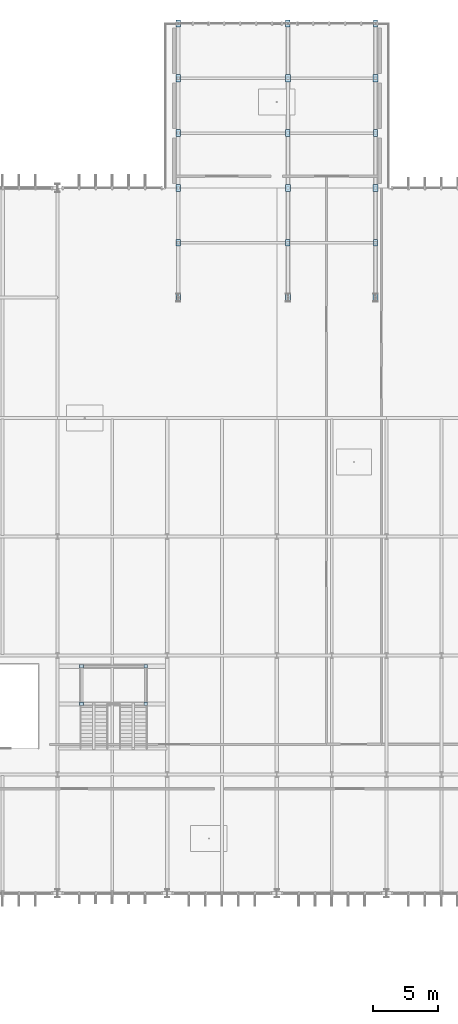
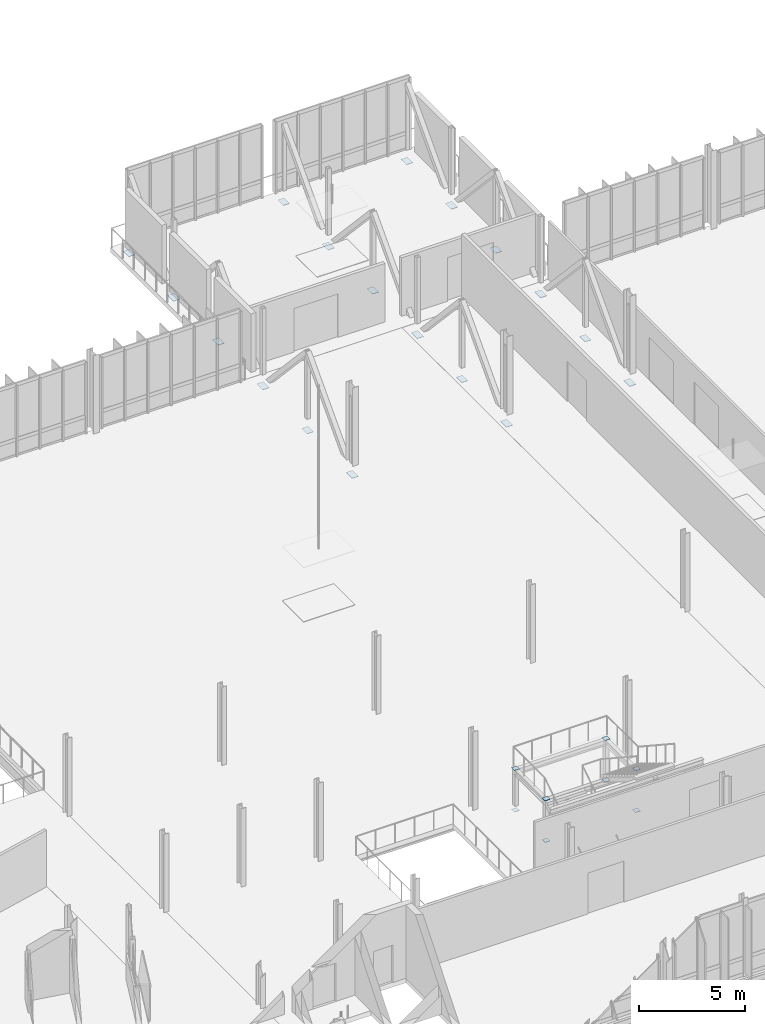
# One storey, part 99 of 139: 26 plates.
"""IFC4 building model written with IfcOpenShell, lengths in metres."""

import ifcopenshell
import ifcopenshell.guid

model = None  # the IFC model being written
_history = None  # IfcOwnerHistory: only IFC2X3 demands one
_inside = {}  # id of a spatial element -> (the spatial element, [elements in it])
_under = {}  # id of a project, library or spatial element -> (it, [spatial elements below it])
_declared = {}  # id of a project -> (the project, [libraries it declares])
_typed = {}  # id of a type object -> (the type object, [elements of that type])
_made_of = {}  # id of a material, layer set ... -> (it, [elements and type objects made of it])


def new_model(schema):
    """Start an empty IFC model of exactly this schema.

    Asked for "IFC4X3", IfcOpenShell would pick the latest addendum, in which some entities
    have other attributes; the version numbers below select the first issue.
    IFC2X3 requires an IfcOwnerHistory on every rooted entity: one is made here for all.
    """
    global model, _history
    if schema == "IFC4X3":
        model = ifcopenshell.file(schema_version=(4, 3, 0, 0))
    else:
        model = ifcopenshell.file(schema=schema)
    _inside.clear()
    _under.clear()
    _declared.clear()
    _typed.clear()
    _made_of.clear()
    _history = None
    if model.schema == "IFC2X3":
        org = make("IfcOrganization", Name="unknown")
        user = make(
            "IfcPersonAndOrganization",
            ThePerson=make("IfcPerson", FamilyName="unknown"),
            TheOrganization=org,
        )
        app = make(
            "IfcApplication",
            ApplicationDeveloper=org,
            Version="unknown",
            ApplicationFullName="unknown",
            ApplicationIdentifier="unknown",
        )
        _history = make(
            "IfcOwnerHistory",
            OwningUser=user,
            OwningApplication=app,
            ChangeAction="ADDED",
            CreationDate=0,
        )
    return model


def make(cls, **values):
    """One entity of the class cls with the attributes given. An attribute that is None is left unset."""
    return model.create_entity(
        cls, **{name: value for name, value in values.items() if value is not None}
    )


def rooted(cls, **values):
    """An entity with a GlobalId (a new one), such as an element, a storey or a relation."""
    return make(cls, GlobalId=ifcopenshell.guid.new(), OwnerHistory=_history, **values)


def si_unit(unit_type, name, prefix=None):
    """IfcSIUnit, for example si_unit("LENGTHUNIT", "METRE", prefix="MILLI")."""
    return make("IfcSIUnit", UnitType=unit_type, Prefix=prefix, Name=name)


def derived_unit(unit_type, elements):
    """IfcDerivedUnit: a product of units, each with its exponent."""
    return make(
        "IfcDerivedUnit",
        Elements=[
            make("IfcDerivedUnitElement", Unit=unit, Exponent=power)
            for unit, power in elements
        ],
        UnitType=unit_type,
    )


def assignment(units):
    """IfcUnitAssignment: the units of a project."""
    return None if units is None else make("IfcUnitAssignment", Units=units)


def point(xyz):
    """IfcCartesianPoint."""
    return None if xyz is None else make("IfcCartesianPoint", Coordinates=xyz)


def direction(xyz):
    """IfcDirection."""
    return None if xyz is None else make("IfcDirection", DirectionRatios=xyz)


def frame(location, z_axis=None, x_axis=None):
    """IfcAxis2Placement3D, a coordinate frame: its origin and axes. An axis left out is left unset."""
    return make(
        "IfcAxis2Placement3D",
        Location=point(location),
        Axis=direction(z_axis),
        RefDirection=direction(x_axis),
    )


def frame_2d(location, x_axis=None):
    """IfcAxis2Placement2D, a coordinate frame in the plane: its origin and x axis."""
    return make(
        "IfcAxis2Placement2D", Location=point(location), RefDirection=direction(x_axis)
    )


def origin():
    """The frame at (0, 0, 0) with its axes left unset."""
    return frame((0.0, 0.0, 0.0))


def origin_2d():
    """The frame at (0, 0) in the plane with its x axis left unset."""
    return frame_2d((0.0, 0.0))


def place(relative_to, where):
    """IfcLocalPlacement: puts the frame where relative to a parent placement (None: the world)."""
    return make(
        "IfcLocalPlacement", PlacementRelTo=relative_to, RelativePlacement=where
    )


def context(
    kind, dimensions, precision=None, world=None, true_north=None, identifier=None
):
    """IfcGeometricRepresentationContext, for example the 3D "Model" context."""
    return make(
        "IfcGeometricRepresentationContext",
        ContextIdentifier=identifier,
        ContextType=kind,
        CoordinateSpaceDimension=dimensions,
        Precision=precision,
        WorldCoordinateSystem=world,
        TrueNorth=true_north,
    )


def subcontext(parent, identifier, kind, view, scale=None):
    """IfcGeometricRepresentationSubContext, for example "Body" below "Model"."""
    return make(
        "IfcGeometricRepresentationSubContext",
        ContextIdentifier=identifier,
        ContextType=kind,
        ParentContext=parent,
        TargetScale=scale,
        TargetView=view,
    )


def project(units=None, contexts=None):
    """IfcProject with its units and contexts."""
    return rooted(
        "IfcProject",
        Name="project",
        RepresentationContexts=contexts,
        UnitsInContext=assignment(units),
    )


def spatial(cls, under=None, at=None, **own):
    """A site, building, storey or space (cls), placed at a placement, below another one or the project."""
    s = rooted(cls, ObjectPlacement=at, **own)
    if under is not None:
        _under.setdefault(under.id(), (under, []))[1].append(s)
    return s


def profile(cls, at=None, kind="AREA", **sizes):
    """A parametric profile (cls). Its sizes go by their IFC names, for example OverallWidth=200.0."""
    return make(cls, ProfileType=kind, Position=at, **sizes)


def rectangle(**sizes):
    """IfcRectangleProfileDef."""
    return profile("IfcRectangleProfileDef", **sizes)


def extrude(swept, where, along, depth):
    """IfcExtrudedAreaSolid: the profile swept, set in the frame where, extruded along a direction by depth."""
    return make(
        "IfcExtrudedAreaSolid",
        SweptArea=swept,
        Position=where,
        ExtrudedDirection=direction(along),
        Depth=depth,
    )


def shape(context_of_items, identifier, shape_type, items):
    """IfcShapeRepresentation: the items that make up one representation, for example the "Body"."""
    return make(
        "IfcShapeRepresentation",
        ContextOfItems=context_of_items,
        RepresentationIdentifier=identifier,
        RepresentationType=shape_type,
        Items=items,
    )


def material(Name=None, Category=None):
    """IfcMaterial."""
    return make("IfcMaterial", Name=Name, Category=Category)


def layer(
    of_material, thickness, ventilated=None, Name=None, Category=None, Priority=None
):
    """IfcMaterialLayer: one layer of a wall or slab, of a material (None: an air gap)."""
    return make(
        "IfcMaterialLayer",
        Material=of_material,
        LayerThickness=thickness,
        IsVentilated=ventilated,
        Name=Name,
        Category=Category,
        Priority=Priority,
    )


def layer_set(layers, Name=None):
    """IfcMaterialLayerSet."""
    return make("IfcMaterialLayerSet", MaterialLayers=layers, LayerSetName=Name)


def made_of(thing, what):
    """Note that an element or type object is made of a material, layer set ...; save() writes the relation."""
    if what is not None:
        _made_of.setdefault(what.id(), (what, []))[1].append(thing)
    return thing


def type_object(cls, material=None, **own):
    """A type object (cls), such as IfcWallType, which elements share."""
    return made_of(rooted(cls, **own), material)


def element(
    cls,
    number,
    at=None,
    inside=None,
    cuts=None,
    type_object=None,
    material=None,
    context=None,
    identifier="Body",
    shape_type=None,
    held_by="IfcProductDefinitionShape",
    body=None,
    shapes=None,
    **own,
):
    """One element of the class cls, such as IfcWall. Its Tag is "e" and its number.

    at: its placement. inside: the storey or other place that contains it. cuts: it is an
    opening in that element (IfcRelVoidsElement). A single representation is given by context,
    identifier, shape_type and body (its items); several are given by shapes. held_by: the class
    of the entity that holds the representations. save() writes the other relations.
    """
    e = rooted(cls, Tag="e%d" % number, ObjectPlacement=at, **own)
    if body is not None:
        shapes = [shape(context, identifier, shape_type, body)]
    if shapes is not None:
        e.Representation = make(held_by, Representations=shapes)
    if inside is not None:
        _inside.setdefault(inside.id(), (inside, []))[1].append(e)
    if cuts is not None:
        rooted(
            "IfcRelVoidsElement", RelatingBuildingElement=cuts, RelatedOpeningElement=e
        )
    if type_object is not None:
        _typed.setdefault(type_object.id(), (type_object, []))[1].append(e)
    return made_of(e, material)


def aggregate(whole, parts):
    """IfcRelAggregates: a whole, such as a stair, and the parts it consists of."""
    return rooted("IfcRelAggregates", RelatingObject=whole, RelatedObjects=parts)


def save(model, path):
    """Write the relations noted so far, then the file.

    IfcRelAggregates (storeys below a building ...), IfcRelContainedInSpatialStructure (elements
    in a storey), IfcRelDefinesByType, IfcRelAssociatesMaterial and IfcRelDeclares: one each for
    every whole, place, type object, material and project.
    """
    for whole, parts in _under.values():
        aggregate(whole, parts)
    for where, things in _inside.values():
        rooted(
            "IfcRelContainedInSpatialStructure",
            RelatedElements=things,
            RelatingStructure=where,
        )
    for kind, things in _typed.values():
        rooted("IfcRelDefinesByType", RelatedObjects=things, RelatingType=kind)
    for what, things in _made_of.values():
        rooted("IfcRelAssociatesMaterial", RelatedObjects=things, RelatingMaterial=what)
    for by, libraries in _declared.values():
        rooted("IfcRelDeclares", RelatingContext=by, RelatedDefinitions=libraries)
    model.write(path)


model = new_model("IFC4")

# Units and contexts
model_context = context("Model", 3, precision=1e-05, world=origin(), true_north=direction((0.0, 1.0)))
body_context = subcontext(model_context, "Body", "Model", "MODEL_VIEW")
ifc_project = project(units=[si_unit("LENGTHUNIT", "METRE"), si_unit("AREAUNIT", "SQUARE_METRE"), si_unit("VOLUMEUNIT", "CUBIC_METRE"), si_unit("PLANEANGLEUNIT", "RADIAN"), si_unit("MASSUNIT", "GRAM", prefix="KILO"), derived_unit("THERMALTRANSMITTANCEUNIT", [(si_unit("MASSUNIT", "GRAM", prefix="KILO"), 1), (si_unit("TIMEUNIT", "SECOND"), -3), (si_unit("THERMODYNAMICTEMPERATUREUNIT", "KELVIN"), -1)])], contexts=[model_context])

# Site, building, storey
site_placement = place(None, origin())
site = spatial("IfcSite", under=ifc_project, at=site_placement, CompositionType="ELEMENT")
building_placement = place(site_placement, origin())
building = spatial("IfcBuilding", under=site, at=building_placement, Name="Makaiwela Harbour Ferry Terminal", CompositionType="ELEMENT")
storey_placement = place(building_placement, frame((0.0, 0.0, 5.10009765625)))
storey = spatial("IfcBuildingStorey", under=building, at=storey_placement, Name="L01", CompositionType="ELEMENT", Elevation=5.10009765625)

# Plates
ifc_material = material(Name="Steel ASTM A572 Grade 50", Category="steel")
ifc_layer_1 = layer(ifc_material, 0.02001953125)
ifc_layer_set_1 = layer_set([ifc_layer_1], Name="Steel ASTM A572 Grade 50")
plate_type_1 = type_object("IfcPlateType", Name="STR-PLT-CAP1", PredefinedType="SHEET", material=ifc_layer_set_1)
for number, where, z_axis, x_axis, name in (
    (1, (81.639892578125, 63.89990234375, -0.297119140625), (0.0, 0.0, 1.0), (1.0, 0.0, 0.0), "Post Sealing Cap Plate PC-0017"),
    (2, (81.639892578125, 63.89990234375, 2.096923828125), (0.0, 0.0, 1.0), (1.0, 0.0, 0.0), "Post Sealing Cap Plate PC-0018"),
    (3, (86.56005859375, 63.89990234375, -0.297119140625), (0.0, 0.0, 1.0), (1.0, 0.0, 0.0), "Post Sealing Cap Plate PC-0019"),
    (4, (86.56005859375, 63.89990234375, 2.096923828125), (0.0, 0.0, 1.0), (1.0, 0.0, 0.0), "Post Sealing Cap Plate PC-0020"),
    (5, (81.639892578125, 66.780029296875, -0.297119140625), (0.0, 0.0, 1.0), (1.0, 0.0, 0.0), "Post Sealing Cap Plate PC-0021"),
    (6, (81.639892578125, 66.780029296875, 2.096923828125), (0.0, 0.0, 1.0), (1.0, 0.0, 0.0), "Post Sealing Cap Plate PC-0022"),
    (7, (86.56005859375, 66.780029296875, -0.297119140625), (0.0, 0.0, 1.0), (1.0, 0.0, 0.0), "Post Sealing Cap Plate PC-0023"),
    (8, (86.56005859375, 66.780029296875, 2.096923828125), (0.0, 0.0, 1.0), (1.0, 0.0, 0.0), "Post Sealing Cap Plate PC-0024"),
):
    element("IfcPlate", number, at=place(storey_placement, frame(where, z_axis=z_axis, x_axis=x_axis)), inside=storey, type_object=plate_type_1, Name=name, PredefinedType="SHEET", context=body_context, shape_type="SweptSolid", body=[
        extrude(rectangle(XDim=0.280029296875, YDim=0.280029296875, at=origin_2d()), origin(), (0.0, 0.0, 1.0), 0.02001953125),
    ])
ifc_layer_2 = layer(ifc_material, 0.02392578125)
ifc_layer_set_2 = layer_set([ifc_layer_2], Name="Steel ASTM A572 Grade 50")
plate_type_2 = type_object("IfcPlateType", Name="STR-PLT-GUS1", PredefinedType="USERDEFINED", material=ifc_layer_set_2)
for number, where, z_axis, x_axis, name in (
    (9, (89.050048828125, 95.0, -0.717529296875), (0.0, 0.0, 1.0), (0.0, 1.0, 0.0), "Truss Gusset Plate GP-001"),
    (10, (89.050048828125, 103.39990234375, -0.717529296875), (0.0, 0.0, 1.0), (0.0, 1.0, 0.0), "Truss Gusset Plate GP-007"),
    (11, (89.050048828125, 111.800048828125, -0.717529296875), (0.0, 0.0, 1.0), (0.0, 1.0, 0.0), "Truss Gusset Plate GP-013"),
    (12, (97.449951171875, 95.0, -0.717529296875), (0.0, 0.0, 1.0), (0.0, 1.0, 0.0), "Truss Gusset Plate GP-019"),
    (13, (97.449951171875, 103.39990234375, -0.717529296875), (0.0, 0.0, 1.0), (0.0, 1.0, 0.0), "Truss Gusset Plate GP-025"),
    (14, (97.449951171875, 111.800048828125, -0.717529296875), (0.0, 0.0, 1.0), (0.0, 1.0, 0.0), "Truss Gusset Plate GP-031"),
    (15, (104.14990234375, 95.0, -0.717529296875), (0.0, 0.0, 1.0), (0.0, 1.0, 0.0), "Truss Gusset Plate GP-037"),
    (16, (104.14990234375, 103.39990234375, -0.717529296875), (0.0, 0.0, 1.0), (0.0, 1.0, 0.0), "Truss Gusset Plate GP-043"),
    (17, (104.14990234375, 111.800048828125, -0.717529296875), (0.0, 0.0, 1.0), (0.0, 1.0, 0.0), "Truss Gusset Plate GP-049"),
):
    element("IfcPlate", number, at=place(storey_placement, frame(where, z_axis=z_axis, x_axis=x_axis)), inside=storey, type_object=plate_type_2, Name=name, ObjectType="GUSSET PLATE", PredefinedType="USERDEFINED", context=body_context, shape_type="SweptSolid", body=[
        extrude(rectangle(XDim=0.56005859375, YDim=0.360107421875, at=origin_2d()), origin(), (0.0, 0.0, 1.0), 0.02392578125),
    ])
ifc_layer_3 = layer(ifc_material, 0.02197265625)
ifc_layer_set_3 = layer_set([ifc_layer_3], Name="Steel ASTM A572 Grade 50")
plate_type_3 = type_object("IfcPlateType", Name="STR-PLT-GUS4", PredefinedType="USERDEFINED", material=ifc_layer_set_3)
for number, where, z_axis, x_axis, name in (
    (18, (89.050048828125, 99.199951171875, -0.716552734375), (0.0, 0.0, 1.0), (0.0, 1.0, 0.0), "Truss Gusset Plate GP-004"),
    (19, (89.050048828125, 107.60009765625, -0.716552734375), (0.0, 0.0, 1.0), (0.0, 1.0, 0.0), "Truss Gusset Plate GP-010"),
    (20, (89.050048828125, 116.0, -0.716552734375), (0.0, 0.0, 1.0), (0.0, 1.0, 0.0), "Truss Gusset Plate GP-016"),
    (21, (97.449951171875, 99.199951171875, -0.716552734375), (0.0, 0.0, 1.0), (0.0, 1.0, 0.0), "Truss Gusset Plate GP-022"),
    (22, (97.449951171875, 107.60009765625, -0.716552734375), (0.0, 0.0, 1.0), (0.0, 1.0, 0.0), "Truss Gusset Plate GP-028"),
    (23, (97.449951171875, 116.0, -0.716552734375), (0.0, 0.0, 1.0), (0.0, 1.0, 0.0), "Truss Gusset Plate GP-034"),
    (24, (104.14990234375, 99.199951171875, -0.716552734375), (0.0, 0.0, 1.0), (0.0, 1.0, 0.0), "Truss Gusset Plate GP-040"),
    (25, (104.14990234375, 107.60009765625, -0.716552734375), (0.0, 0.0, 1.0), (0.0, 1.0, 0.0), "Truss Gusset Plate GP-046"),
    (26, (104.14990234375, 116.0, -0.716552734375), (0.0, 0.0, 1.0), (0.0, 1.0, 0.0), "Truss Gusset Plate GP-052"),
):
    element("IfcPlate", number, at=place(storey_placement, frame(where, z_axis=z_axis, x_axis=x_axis)), inside=storey, type_object=plate_type_3, Name=name, ObjectType="GUSSET PLATE", PredefinedType="USERDEFINED", context=body_context, shape_type="SweptSolid", body=[
        extrude(rectangle(XDim=0.52001953125, YDim=0.340087890625, at=origin_2d()), origin(), (0.0, 0.0, 1.0), 0.02197265625),
    ])

save(model, "model.ifc")
